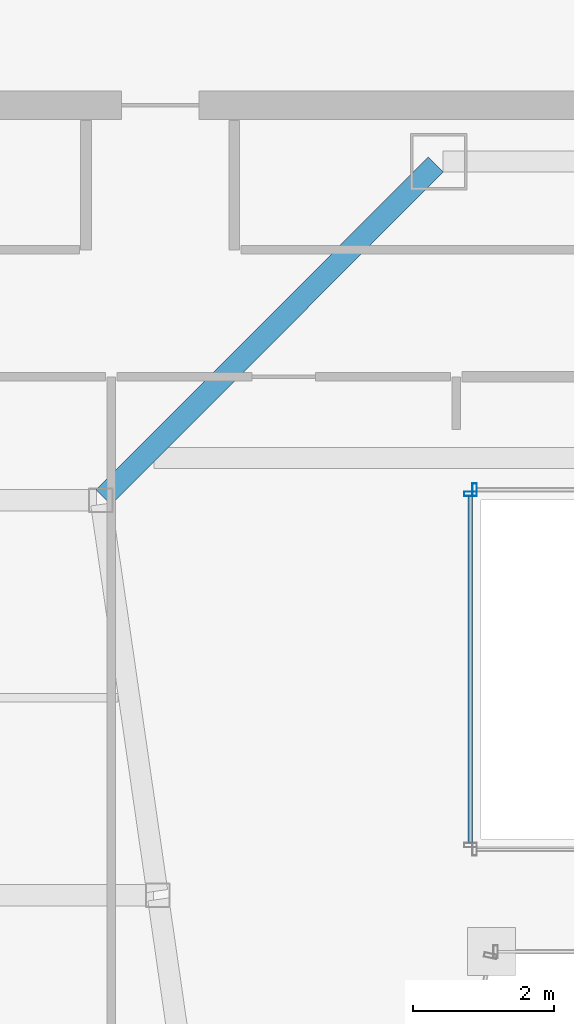
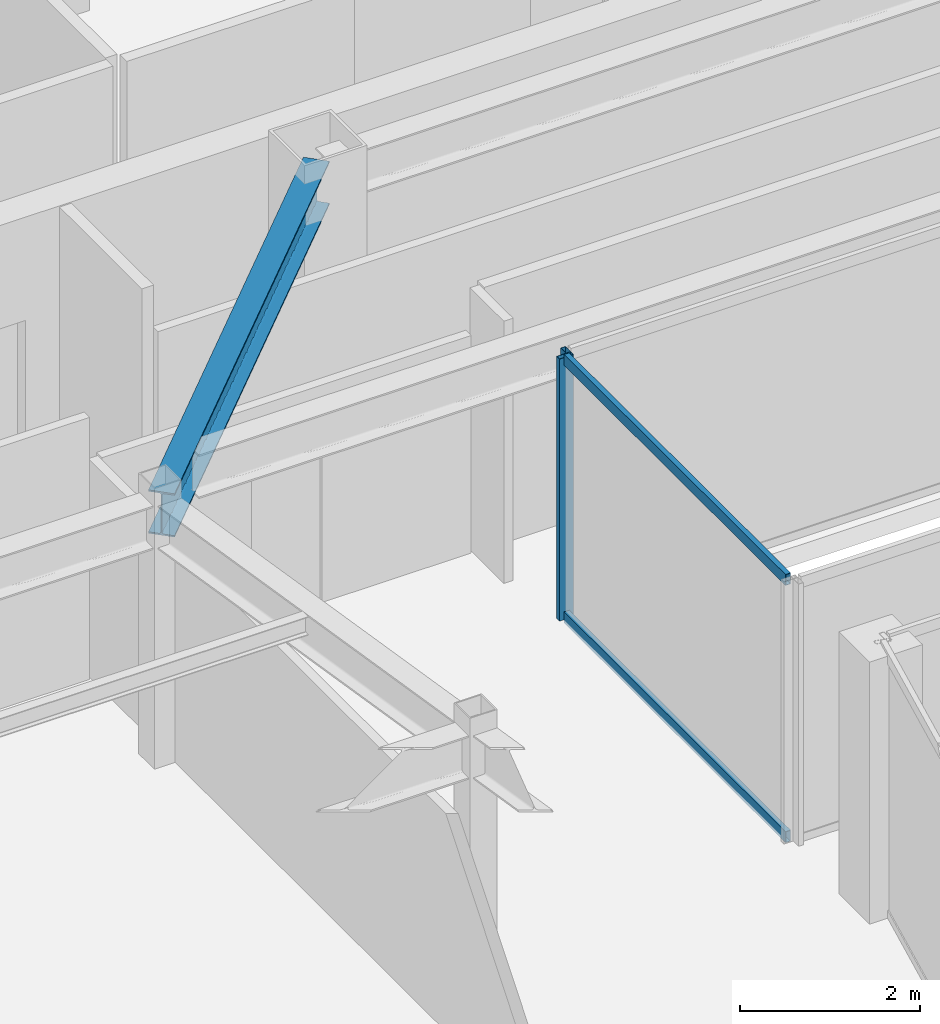
# One storey, part 9 of 32: 4 members, 1 beam, 2 elements without a shape of their own.
"""IFC4 building model written with IfcOpenShell, lengths in metres."""

from ifc_helpers import new_model, si_unit, direction, frame, origin, origin_2d, place, context, subcontext, project, spatial, hollow_rectangle, i_section, extrude, material, material_profile, profile_set, type_object, element, aggregate, save


model = new_model("IFC4")

# Units and contexts
model_context = context("Model", 3, precision=1e-05, world=origin(), true_north=direction((0.0, 1.0)))
body_context = subcontext(model_context, "Body", "Model", "MODEL_VIEW")
ifc_project = project(units=[si_unit("LENGTHUNIT", "METRE"), si_unit("AREAUNIT", "SQUARE_METRE"), si_unit("VOLUMEUNIT", "CUBIC_METRE"), si_unit("PLANEANGLEUNIT", "RADIAN"), si_unit("MASSUNIT", "GRAM", prefix="KILO")], contexts=[model_context])

# Site, building, storey
site_placement = place(None, origin())
site = spatial("IfcSite", under=ifc_project, at=site_placement, CompositionType="ELEMENT")
building_placement = place(site_placement, origin())
building = spatial("IfcBuilding", under=site, at=building_placement, Name="Saevonmaru Cultural Tower", CompositionType="ELEMENT")
storey_placement = place(building_placement, frame((0.0, 0.0, 242.0)))
storey = spatial("IfcBuildingStorey", under=building, at=storey_placement, Name="L56", CompositionType="ELEMENT", Elevation=242.0)

# Beam
ifc_material_1 = material(Name="Steel SM355", Category="steel")
ifc_material_profile_1 = material_profile(ifc_material_1, i_section(OverallWidth=0.300048828125, OverallDepth=0.587890625, WebThickness=0.011962890625, FlangeThickness=0.02001953125, FilletRadius=0.02392578125, at=origin_2d()), Name="H-588x300x12x20")
ifc_profile_set_1 = profile_set([ifc_material_profile_1], Name="Steel SM355")
beam_type = type_object("IfcBeamType", Name="BM-G-H588", PredefinedType="BEAM", material=ifc_profile_set_1)
beam_placement = place(storey_placement, frame((18.850341796875, 37.642578125, 3.256103515625), z_axis=(0.706538566564, 0.707674539572, 0.0), x_axis=(-0.707674539572, 0.706538566564, 0.0)))
element("IfcBeam", 1, at=beam_placement, inside=storey, type_object=beam_type, Name="L56 West Atrium Girder 4", PredefinedType="BEAM", context=body_context, shape_type="SweptSolid", body=[
    extrude(i_section(OverallWidth=0.300048828125, OverallDepth=0.587890625, WebThickness=0.011962890625, FlangeThickness=0.02001953125, FilletRadius=0.02392578125, at=origin_2d()), origin(), (0.0, 0.0, 1.0), 6.662353515625),
])

# Curtain wall, member
ifc_material_2 = material(Name="Satin Bronze Anodised Aluminium", Category="aluminium")
curtain_wall_type = type_object("IfcCurtainWallType", Name="CW-ATR-GLZ", PredefinedType="NOTDEFINED", material=ifc_material_2)
curtain_wall_1_placement = place(storey_placement, origin())
curtain_wall_1 = element("IfcCurtainWall", 2, at=curtain_wall_1_placement, inside=storey, type_object=curtain_wall_type, Name="L56 Vertical Atrium Glazed Smoke Screen 3", PredefinedType="NOTDEFINED")
ifc_material_profile_2 = material_profile(ifc_material_2, hollow_rectangle(XDim=0.06494140625, YDim=0.179931640625, WallThickness=0.00390625, at=origin_2d()), Name="ALU-MULL-180x65x4")
ifc_profile_set_2 = profile_set([ifc_material_profile_2], Name="Satin Bronze Anodised Aluminium")
member_type_1 = type_object("IfcMemberType", Name="ML-CW-INT-180x65", PredefinedType="MULLION", material=ifc_profile_set_2)
member_1_placement = place(storey_placement, frame((24.110107421875, 37.75, 0.0), z_axis=(0.0, 0.0, 1.0), x_axis=(-1.0, 0.0, 0.0)))
member_1 = element("IfcMember", 3, at=member_1_placement, type_object=member_type_1, Name="CW-ATR-L56-3 mullion 2", PredefinedType="MULLION", context=body_context, shape_type="SweptSolid", body=[
    extrude(hollow_rectangle(XDim=0.06494140625, YDim=0.179931640625, WallThickness=0.00390625, at=origin_2d()), origin(), (0.0, 0.0, 1.0), 3.550048828125),
])
aggregate(curtain_wall_1, [member_1])

# Curtain wall, members
curtain_wall_2_placement = place(storey_placement, origin())
curtain_wall_2 = element("IfcCurtainWall", 4, at=curtain_wall_2_placement, inside=storey, type_object=curtain_wall_type, Name="L56 Vertical Atrium Glazed Smoke Screen 4", PredefinedType="NOTDEFINED")
member_2_placement = place(storey_placement, frame((24.050048828125, 37.68994140625, 0.0), z_axis=(0.0, 0.0, 1.0), x_axis=(0.0, -1.0, 0.0)))
member_2 = element("IfcMember", 5, at=member_2_placement, type_object=member_type_1, Name="CW-ATR-L56-4 mullion 1", PredefinedType="MULLION", context=body_context, shape_type="SweptSolid", body=[
    extrude(hollow_rectangle(XDim=0.06494140625, YDim=0.179931640625, WallThickness=0.00390625, at=origin_2d()), origin(), (0.0, 0.0, 1.0), 3.550048828125),
])
ifc_material_profile_3 = material_profile(ifc_material_2, hollow_rectangle(XDim=0.06494140625, YDim=0.14990234375, WallThickness=0.00390625, at=origin_2d()), Name="ALU-TRAN-150x65x4")
ifc_profile_set_3 = profile_set([ifc_material_profile_3], Name="Satin Bronze Anodised Aluminium")
member_type_2 = type_object("IfcMemberType", Name="TR-CW-INT-150x65", PredefinedType="USERDEFINED", material=ifc_profile_set_3)
member_3_placement = place(storey_placement, frame((24.050048828125, 37.657470703125, 0.032470703125), z_axis=(0.0, -1.0, 0.0), x_axis=(1.0, 0.0, 0.0)))
member_3 = element("IfcMember", 6, at=member_3_placement, type_object=member_type_2, Name="CW-ATR-L56-4 transom 1.1", ObjectType="TRANSOM", PredefinedType="USERDEFINED", context=body_context, shape_type="SweptSolid", body=[
    extrude(hollow_rectangle(XDim=0.06494140625, YDim=0.14990234375, WallThickness=0.00390625, at=origin_2d()), origin(), (0.0, 0.0, 1.0), 4.9150390625),
])
member_4_placement = place(storey_placement, frame((24.050048828125, 37.657470703125, 3.517578125), z_axis=(0.0, -1.0, 0.0), x_axis=(1.0, 0.0, 0.0)))
member_4 = element("IfcMember", 7, at=member_4_placement, type_object=member_type_2, Name="CW-ATR-L56-4 transom 1.2", ObjectType="TRANSOM", PredefinedType="USERDEFINED", context=body_context, shape_type="SweptSolid", body=[
    extrude(hollow_rectangle(XDim=0.06494140625, YDim=0.14990234375, WallThickness=0.00390625, at=origin_2d()), origin(), (0.0, 0.0, 1.0), 4.9150390625),
])
aggregate(curtain_wall_2, [member_2, member_3, member_4])

save(model, "model.ifc")
